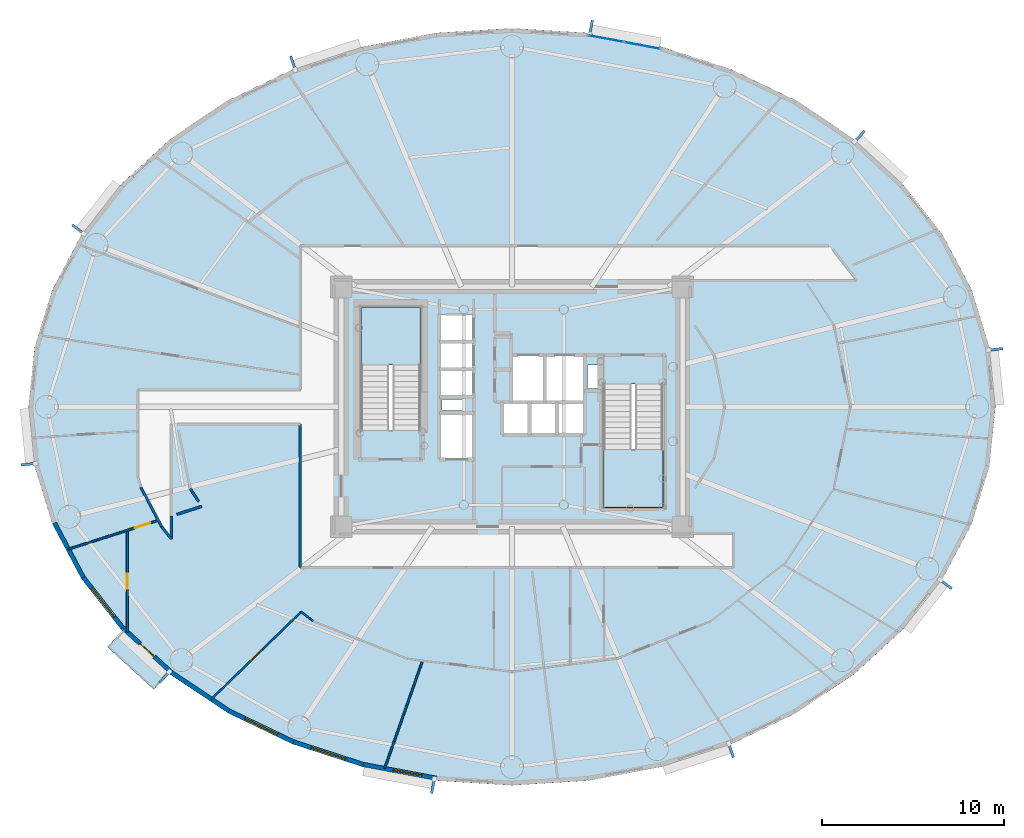
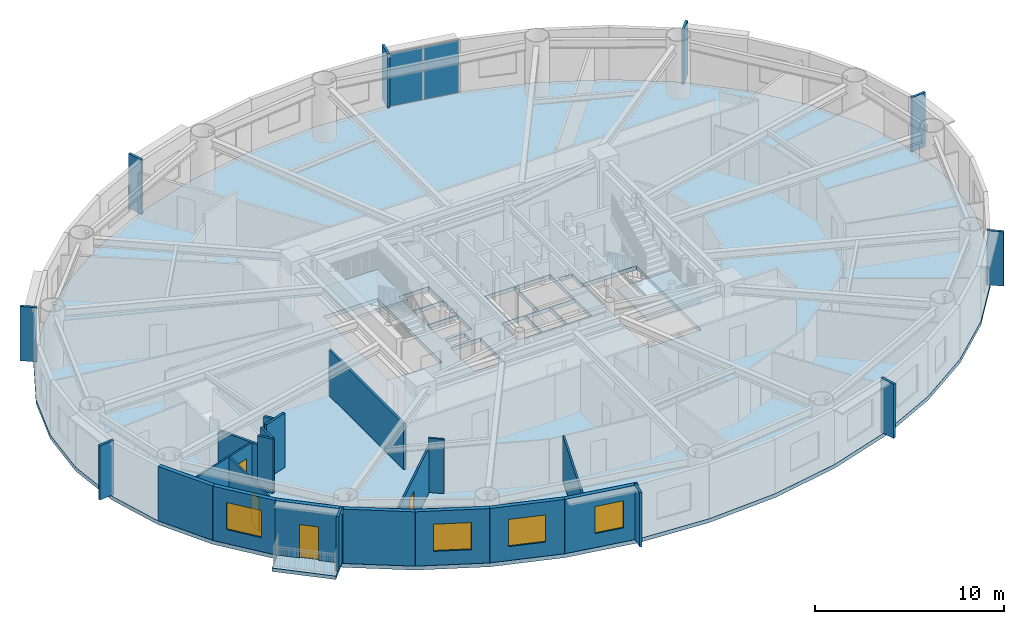
# One storey, part 7 of 18: 18 walls, 12 plates, 4 doors, 4 slabs, 4 windows, 8 openings, 3 elements without a shape of their own.
"""IFC4 building model written with IfcOpenShell, lengths in metres."""

from ifc_helpers import new_model, si_unit, direction, frame, frame_2d, origin, origin_2d, place, context, subcontext, project, spatial, polyline, rectangle, outline, extrude, source, transform, mapped, material, layer, layer_set, type_object, element, fill, aggregate, save


model = new_model("IFC4")

# Units and contexts
model_context = context("Model", 3, precision=1e-05, world=origin(), true_north=direction((0.0, 1.0)))
body_context = subcontext(model_context, "Body", "Model", "MODEL_VIEW")
ifc_project = project(units=[si_unit("LENGTHUNIT", "METRE"), si_unit("AREAUNIT", "SQUARE_METRE"), si_unit("VOLUMEUNIT", "CUBIC_METRE"), si_unit("PLANEANGLEUNIT", "RADIAN"), si_unit("MASSUNIT", "GRAM", prefix="KILO")], contexts=[model_context])

# Site, building, storey
site_placement = place(None, origin())
site = spatial("IfcSite", under=ifc_project, at=site_placement, CompositionType="ELEMENT")
building_placement = place(site_placement, origin())
building = spatial("IfcBuilding", under=site, at=building_placement, Name="Linh Dai School and Residence Tower", CompositionType="ELEMENT")
storey_placement = place(building_placement, frame((0.0, 0.0, 167.39990234375)))
storey = spatial("IfcBuildingStorey", under=building, at=storey_placement, Name="L40", CompositionType="ELEMENT", Elevation=167.39990234375)

# Slabs
ifc_material_1 = material(Name="Concrete B45 (C35/45)", Category="concrete")
ifc_layer_1 = layer(ifc_material_1, 0.219970703125)
ifc_layer_set_1 = layer_set([ifc_layer_1], Name="Concrete B45 (C35/45)")
slab_type_1 = type_object("IfcSlabType", Name="SLB-BALC-220", PredefinedType="FLOOR", material=ifc_layer_set_1)
slab_1_placement = place(storey_placement, frame((0.0, 0.0, -0.219970703125)))
element("IfcSlab", 1, at=slab_1_placement, inside=storey, type_object=slab_type_1, Name="L40 Sliding Balcony Slab 25", PredefinedType="FLOOR", context=body_context, shape_type="SweptSolid", body=[
    extrude(outline(polyline([(17.163818359375, 12.40380859375), (14.614990234375, 14.74072265625), (13.736572265625, 13.782470703125), (16.285400390625, 11.445556640625), (17.163818359375, 12.40380859375)])), origin(), (0.0, 0.0, 1.0), 0.219970703125),
])
ifc_layer_2 = layer(ifc_material_1, 0.25)
ifc_layer_set_2 = layer_set([ifc_layer_2], Name="Concrete B45 (C35/45)")
slab_type_2 = type_object("IfcSlabType", Name="SLB-FLR250", PredefinedType="FLOOR", material=ifc_layer_set_2)
slab_2_placement = place(storey_placement, frame((0.0, 0.0, -0.25)))
element("IfcSlab", 2, at=slab_2_placement, inside=storey, type_object=slab_type_2, Name="L40 Composite Structural Floor Slab", PredefinedType="FLOOR", context=body_context, shape_type="SweptSolid", body=[
    extrude(outline(polyline([(62.60009765625, 27.0), (62.2724609375, 30.258544921875), (61.298095703125, 33.436767578125), (59.70068359375, 36.45654296875), (57.519775390625, 39.24365234375), (54.80908203125, 41.72900390625), (51.635009765625, 43.851806640625), (48.076171875, 45.5595703125), (44.219970703125, 46.810546875), (40.1611328125, 47.573486328125), (36.0, 47.830078125), (31.8388671875, 47.573486328125), (27.780029296875, 46.810546875), (23.923828125, 45.5595703125), (20.364990234375, 43.851806640625), (17.19091796875, 41.72900390625), (14.480224609375, 39.24365234375), (12.29931640625, 36.45654296875), (10.701904296875, 33.436767578125), (9.7275390625, 30.258544921875), (9.39990234375, 27.0), (9.7275390625, 23.741455078125), (10.701904296875, 20.563232421875), (12.29931640625, 17.54345703125), (14.480224609375, 14.75634765625), (17.19091796875, 12.27099609375), (20.364990234375, 10.148193359375), (23.923828125, 8.4404296875), (27.780029296875, 7.189453125), (31.8388671875, 6.426513671875), (36.0, 6.169921875), (40.1611328125, 6.426513671875), (44.219970703125, 7.189453125), (48.076171875, 8.4404296875), (51.635009765625, 10.148193359375), (54.80908203125, 12.27099609375), (57.519775390625, 14.75634765625), (59.70068359375, 17.54345703125), (61.298095703125, 20.563232421875), (62.2724609375, 23.741455078125), (62.60009765625, 27.0)]), holes=[polyline([(30.97998046875, 25.699951171875), (30.97998046875, 32.5), (27.679931640625, 32.5), (27.679931640625, 25.699951171875), (30.97998046875, 25.699951171875)]), polyline([(41.02001953125, 28.25), (41.02001953125, 21.449951171875), (44.320068359375, 21.449951171875), (44.320068359375, 28.25), (41.02001953125, 28.25)]), polyline([(35.97998046875, 27.280029296875), (37.77001953125, 27.280029296875), (37.77001953125, 29.820068359375), (35.97998046875, 29.820068359375), (35.97998046875, 27.280029296875)]), polyline([(32.030029296875, 24.1298828125), (33.8701171875, 24.1298828125), (33.8701171875, 26.6201171875), (32.030029296875, 26.6201171875), (32.030029296875, 24.1298828125)]), polyline([(37.830078125, 27.280029296875), (39.969970703125, 27.280029296875), (39.969970703125, 29.820068359375), (37.830078125, 29.820068359375), (37.830078125, 27.280029296875)]), polyline([(32.030029296875, 27.580078125), (33.8701171875, 27.580078125), (33.8701171875, 29.030029296875), (32.030029296875, 29.030029296875), (32.030029296875, 27.580078125)]), polyline([(32.030029296875, 29.090087890625), (33.8701171875, 29.090087890625), (33.8701171875, 30.550048828125), (32.030029296875, 30.550048828125), (32.030029296875, 29.090087890625)]), polyline([(32.030029296875, 30.610107421875), (33.8701171875, 30.610107421875), (33.8701171875, 32.070068359375), (32.030029296875, 32.070068359375), (32.030029296875, 30.610107421875)]), polyline([(35.47998046875, 25.47998046875), (36.929931640625, 25.47998046875), (36.929931640625, 27.219970703125), (35.47998046875, 27.219970703125), (35.47998046875, 25.47998046875)]), polyline([(36.989990234375, 25.47998046875), (38.449951171875, 25.47998046875), (38.449951171875, 27.219970703125), (36.989990234375, 27.219970703125), (36.989990234375, 25.47998046875)]), polyline([(38.510009765625, 25.47998046875), (39.969970703125, 25.47998046875), (39.969970703125, 27.219970703125), (38.510009765625, 27.219970703125), (38.510009765625, 25.47998046875)]), polyline([(40.14990234375, 28.0), (40.14990234375, 29.300048828125), (41.0, 29.300048828125), (41.0, 28.280029296875), (40.989990234375, 28.280029296875), (40.989990234375, 28.0), (40.14990234375, 28.0)]), polyline([(32.14990234375, 26.800048828125), (33.35009765625, 26.800048828125), (33.35009765625, 27.39990234375), (32.14990234375, 27.39990234375), (32.14990234375, 26.800048828125)])]), origin(), (0.0, 0.0, 1.0), 0.25),
])

# Stair, slab
stair_type = type_object("IfcStairType", Name="ST-DOG-1550-R1442", PredefinedType="HALF_TURN_STAIR", material=ifc_material_1)
stair_1_placement = place(storey_placement, origin())
stair_1 = element("IfcStair", 3, at=stair_1_placement, inside=storey, type_object=stair_type, Name="L40 Core Smokeproof Exit Stair ST1", PredefinedType="HALF_TURN_STAIR")
ifc_layer_3 = layer(ifc_material_1, 0.199951171875)
ifc_layer_set_3 = layer_set([ifc_layer_3], Name="Concrete B45 (C35/45)")
slab_type_3 = type_object("IfcSlabType", Name="SLB-ST-LANDING-200", PredefinedType="LANDING", material=ifc_layer_set_3)
slab_3_placement = place(storey_placement, frame((0.0, 0.0, 1.675048828125)))
slab_3 = element("IfcSlab", 4, at=slab_3_placement, type_object=slab_type_3, Name="ST1 landing 1", PredefinedType="LANDING", context=body_context, shape_type="SweptSolid", body=[
    extrude(outline(polyline([(30.97998046875, 29.300048828125), (30.97998046875, 32.5), (27.679931640625, 32.5), (27.679931640625, 29.300048828125), (30.97998046875, 29.300048828125)])), origin(), (0.0, 0.0, 1.0), 0.199951171875),
])
aggregate(stair_1, [slab_3])

stair_2_placement = place(storey_placement, origin())
stair_2 = element("IfcStair", 5, at=stair_2_placement, inside=storey, type_object=stair_type, Name="L40 Core Smokeproof Exit Stair ST2", PredefinedType="HALF_TURN_STAIR")
slab_4_placement = place(storey_placement, frame((0.0, 0.0, 1.675048828125)))
slab_4 = element("IfcSlab", 6, at=slab_4_placement, type_object=slab_type_3, Name="ST2 landing 1", PredefinedType="LANDING", context=body_context, shape_type="SweptSolid", body=[
    extrude(outline(polyline([(41.02001953125, 24.64990234375), (41.02001953125, 21.449951171875), (44.320068359375, 21.449951171875), (44.320068359375, 24.64990234375), (41.02001953125, 24.64990234375)])), origin(), (0.0, 0.0, 1.0), 0.199951171875),
])
aggregate(stair_2, [slab_4])

# Plates
ifc_material_2 = material(Name="Precast Concrete B45 (C35/45)", Category="concrete")
ifc_layer_4 = layer(ifc_material_2, 0.139892578125)
ifc_layer_set_4 = layer_set([ifc_layer_4], Name="Precast Concrete B45 (C35/45)")
plate_type_1 = type_object("IfcPlateType", Name="FIN-TC-900x140", PredefinedType="USERDEFINED", material=ifc_layer_set_4)
shared_shape_1 = source(origin(), body_context, "Body", "SweptSolid", [
    extrude(rectangle(XDim=0.89990234375, YDim=0.139892578125, at=origin_2d()), origin(), (0.0, 0.0, 1.0), 3.5),
])
for number, where, z_axis, x_axis, name in (
    (7, (62.56982421875, 30.1552734375, 0.0), (0.0, 0.0, 1.0), (0.994987256586, 0.100001796141, 0.0), "L40 Precast Terracotta Radial Fin 01"),
    (8, (55.097412109375, 41.851806640625, 0.0), (0.0, 0.0, 1.0), (0.67580001435, 0.737085029426, 0.0), "L40 Precast Terracotta Radial Fin 05"),
    (9, (40.33935546875, 47.830322265625, 0.0), (0.0, 0.0, 1.0), (0.184762540184, 0.982783192645, 0.0), "L40 Precast Terracotta Radial Fin 09"),
    (10, (23.957763671875, 45.87060546875, 0.0), (0.0, 0.0, 1.0), (-0.308535707031, 0.951212761419, 0.0), "L40 Precast Terracotta Radial Fin 13"),
    (11, (12.155029296875, 36.735595703125, 0.0), (0.0, 0.0, 1.0), (-0.787522158319, 0.616286337798, 0.0), "L40 Precast Terracotta Radial Fin 17"),
    (12, (9.43017578125, 23.8447265625, 0.0), (0.0, 0.0, 1.0), (-0.994987256586, -0.100001796141, 0.0), "L40 Precast Terracotta Radial Fin 21"),
    (13, (16.902587890625, 12.148193359375, 0.0), (0.0, 0.0, 1.0), (-0.67580001435, -0.737085029426, 0.0), "L40 Precast Terracotta Radial Fin 25"),
    (14, (31.66064453125, 6.169677734375, 0.0), (0.0, 0.0, 1.0), (-0.184762540184, -0.982783192645, 0.0), "L40 Precast Terracotta Radial Fin 29"),
    (15, (48.042236328125, 8.12939453125, 0.0), (0.0, 0.0, 1.0), (0.308535707031, -0.951212761419, 0.0), "L40 Precast Terracotta Radial Fin 33"),
    (16, (59.844970703125, 17.264404296875, 0.0), (0.0, 0.0, 1.0), (0.787522158319, -0.616286337798, 0.0), "L40 Precast Terracotta Radial Fin 37"),
):
    element("IfcPlate", number, at=place(storey_placement, frame(where, z_axis=z_axis, x_axis=x_axis)), inside=storey, type_object=plate_type_1, Name=name, ObjectType="RADIAL FIN", PredefinedType="USERDEFINED", context=body_context, shape_type="MappedRepresentation", body=[
        mapped(shared_shape_1, transform((0.0, 0.0, 0.0), x_axis=(1.0, 0.0, 0.0), y_axis=(0.0, 1.0, 0.0), z_axis=(0.0, 0.0, 1.0), scale=1.0)),
    ])

# Curtain wall, plates
ifc_material_3 = material(Name="Aluminium Anodised Curtain Wall", Category="aluminium")
ifc_layer_5 = layer(ifc_material_3, 0.14990234375)
ifc_layer_set_5 = layer_set([ifc_layer_5], Name="Aluminium Anodised Curtain Wall")
curtain_wall_type = type_object("IfcCurtainWallType", Name="CW-SYS-4", PredefinedType="USERDEFINED", material=ifc_layer_set_5)
curtain_wall_placement = place(storey_placement, origin())
curtain_wall = element("IfcCurtainWall", 17, at=curtain_wall_placement, inside=storey, type_object=curtain_wall_type, Name="L40 CW4 Curtain Wall 09", ObjectType="RIBBON CURTAIN WALL", PredefinedType="USERDEFINED")
ifc_material_4 = material(Name="Double Low-E Insulated Glazing", Category="glass")
ifc_layer_6 = layer(ifc_material_4, 0.02587890625)
ifc_layer_set_6 = layer_set([ifc_layer_6], Name="Double Low-E Insulated Glazing")
plate_type_2 = type_object("IfcPlateType", Name="CW-SYS-4-PAN", PredefinedType="CURTAIN_PANEL", material=ifc_layer_set_6)
shared_shape_2 = source(origin(), body_context, "Body", "SweptSolid", [
    extrude(rectangle(XDim=1.97900390625, YDim=0.02587890625, at=origin_2d()), origin(), (0.0, 0.0, 1.0), 3.39599609375),
])
plate_1_placement = place(storey_placement, frame((41.16943359375, 47.257080078125, 0.052001953125), z_axis=(0.0, 0.0, 1.0), x_axis=(0.982783192645, -0.184762540184, 0.0)))
plate_1 = element("IfcPlate", 18, at=plate_1_placement, type_object=plate_type_2, Name="CW4 panel 1.1", PredefinedType="CURTAIN_PANEL", context=body_context, shape_type="MappedRepresentation", body=[
    mapped(shared_shape_2, transform((0.0, 0.0, 0.0), x_axis=(1.0, 0.0, 0.0), y_axis=(0.0, 1.0, 0.0), z_axis=(0.0, 0.0, 1.0), scale=1.0)),
])
plate_2_placement = place(storey_placement, frame((43.16552734375, 46.8818359375, 0.052001953125), z_axis=(0.0, 0.0, 1.0), x_axis=(0.982783192645, -0.184762540184, 0.0)))
plate_2 = element("IfcPlate", 19, at=plate_2_placement, type_object=plate_type_2, Name="CW4 panel 2.1", PredefinedType="CURTAIN_PANEL", context=body_context, shape_type="MappedRepresentation", body=[
    mapped(shared_shape_2, transform((0.0, 0.0, 0.0), x_axis=(1.0, 0.0, 0.0), y_axis=(0.0, 1.0, 0.0), z_axis=(0.0, 0.0, 1.0), scale=1.0)),
])
aggregate(curtain_wall, [plate_1, plate_2])

# Wall
ifc_layer_7 = layer(ifc_material_2, 0.239990234375)
ifc_layer_set_7 = layer_set([ifc_layer_7], Name="Precast Concrete B45 (C35/45)")
wall_type_1 = type_object("IfcWallType", Name="EW-TC-240", PredefinedType="SOLIDWALL", material=ifc_layer_set_7)
wall_1_placement = place(storey_placement, frame((12.404052734375, 17.611572265625, 0.0), z_axis=(0.0, 0.0, 1.0), x_axis=(-0.467586874938, 0.88394712194, 0.0)))
element("IfcWall", 20, at=wall_1_placement, inside=storey, type_object=wall_type_1, Name="L40 Terracotta Exterior Wall 23", PredefinedType="SOLIDWALL", context=body_context, shape_type="SweptSolid", body=[
    extrude(rectangle(XDim=3.393310546875, YDim=0.239990234375, at=frame_2d((1.69677734375, 0.0))), origin(), (0.0, 0.0, 1.0), 3.5),
])

# Wall, opening, window
wall_2_placement = place(storey_placement, frame((14.57177734375, 14.841552734375, 0.0), z_axis=(0.0, 0.0, 1.0), x_axis=(-0.616287674549, 0.787521112224, 0.0)))
wall_2 = element("IfcWall", 21, at=wall_2_placement, inside=storey, type_object=wall_type_1, Name="L40 Terracotta Exterior Wall 24", PredefinedType="SOLIDWALL", context=body_context, shape_type="SweptSolid", body=[
    extrude(rectangle(XDim=3.517333984375, YDim=0.239990234375, at=frame_2d((1.7587890625, 0.0))), origin(), (0.0, 0.0, 1.0), 3.5),
])
opening_1_placement = place(wall_2_placement, frame((0.758544921875, 0.0, 0.89990234375)))
opening_1 = element("IfcOpeningElement", 22, at=opening_1_placement, cuts=wall_2, Name="Opening W1", PredefinedType="OPENING", context=body_context, shape_type="SweptSolid", body=[
    extrude(rectangle(XDim=2.0, YDim=1.75, at=origin_2d()), frame((1.0, 0.1298828125, 0.875), z_axis=(0.0, -1.0, 0.0), x_axis=(1.0, 0.0, 0.0)), (0.0, 0.0, 1.0), 0.260009765625),
])
window_type_1 = type_object("IfcWindowType", Name="WN-RES-2000x1750", PartitioningType="DOUBLE_PANEL_VERTICAL", PredefinedType="WINDOW", material=ifc_material_4)
shared_shape_3 = source(origin(), body_context, "Body", "SweptSolid", [
    extrude(rectangle(XDim=2.0, YDim=1.75, at=origin_2d()), frame((1.0, 0.030029296875, 0.875), z_axis=(0.0, -1.0, 0.0), x_axis=(1.0, 0.0, 0.0)), (0.0, 0.0, 1.0), 0.06005859375),
])
window_1_placement = place(opening_1_placement, origin())
window_1 = element("IfcWindow", 23, at=window_1_placement, inside=storey, type_object=window_type_1, Name="L40 Exterior Window 24.1", OverallHeight=1.75, OverallWidth=2.0, PartitioningType="DOUBLE_PANEL_VERTICAL", PredefinedType="WINDOW", context=body_context, shape_type="MappedRepresentation", body=[
    mapped(shared_shape_3, transform((0.0, 0.0, 0.0), x_axis=(1.0, 0.0, 0.0), y_axis=(0.0, 1.0, 0.0), z_axis=(0.0, 0.0, 1.0), scale=1.0)),
])
fill(opening_1, window_1)

# Wall, opening, door
wall_3_placement = place(storey_placement, frame((17.26806640625, 12.369384765625, 0.0), z_axis=(0.0, 0.0, 1.0), x_axis=(-0.737076565834, 0.675809245349, 0.0)))
wall_3 = element("IfcWall", 24, at=wall_3_placement, inside=storey, type_object=wall_type_1, Name="L40 Terracotta Exterior Wall 25", PredefinedType="SOLIDWALL", context=body_context, shape_type="SweptSolid", body=[
    extrude(rectangle(XDim=3.658203125, YDim=0.239990234375, at=frame_2d((1.8291015625, 0.0))), origin(), (0.0, 0.0, 1.0), 3.5),
])
opening_2_placement = place(wall_3_placement, frame((1.303955078125, 0.0, 0.0)))
opening_2 = element("IfcOpeningElement", 25, at=opening_2_placement, cuts=wall_3, Name="Opening BD1", PredefinedType="OPENING", context=body_context, shape_type="SweptSolid", body=[
    extrude(rectangle(XDim=1.050048828125, YDim=2.14990234375, at=origin_2d()), frame((0.52490234375, 0.1298828125, 1.074951171875), z_axis=(0.0, -1.0, 0.0), x_axis=(1.0, 0.0, 0.0)), (0.0, 0.0, 1.0), 0.260009765625),
])
ifc_material_5 = material(Name="Double-Glazed Balcony Door", Category="glass")
door_type_1 = type_object("IfcDoorType", Name="DR-BALC-1050x2150", OperationType="NOTDEFINED", PredefinedType="DOOR", material=ifc_material_5)
shared_shape_4 = source(origin(), body_context, "Body", "SweptSolid", [
    extrude(rectangle(XDim=1.050048828125, YDim=2.14990234375, at=origin_2d()), frame((0.52490234375, 0.02490234375, 1.074951171875), z_axis=(0.0, -1.0, 0.0), x_axis=(1.0, 0.0, 0.0)), (0.0, 0.0, 1.0), 0.050048828125),
])
door_1_placement = place(opening_2_placement, origin())
door_1 = element("IfcDoor", 26, at=door_1_placement, inside=storey, type_object=door_type_1, Name="L40 Glazed Balcony Door 25", OperationType="SINGLE_SWING_LEFT", OverallHeight=2.14990234375, OverallWidth=1.050048828125, PredefinedType="DOOR", context=body_context, shape_type="MappedRepresentation", body=[
    mapped(shared_shape_4, transform((0.0, 0.0, 0.0), x_axis=(1.0, 0.0, 0.0), y_axis=(0.0, 1.0, 0.0), z_axis=(0.0, 0.0, 1.0), scale=1.0)),
])
fill(opening_2, door_1)

# Wall
wall_4_placement = place(storey_placement, frame((20.4267578125, 10.2568359375, 0.0), z_axis=(0.0, 0.0, 1.0), x_axis=(-0.831228998277, 0.555930168657, 0.0)))
element("IfcWall", 27, at=wall_4_placement, inside=storey, type_object=wall_type_1, Name="L40 Terracotta Exterior Wall 26", PredefinedType="SOLIDWALL", context=body_context, shape_type="SweptSolid", body=[
    extrude(rectangle(XDim=3.800048828125, YDim=0.239990234375, at=frame_2d((1.89990234375, 0.0))), origin(), (0.0, 0.0, 1.0), 3.5),
])

# Wall, opening, window
wall_5_placement = place(storey_placement, frame((23.97021484375, 8.556396484375, 0.0), z_axis=(0.0, 0.0, 1.0), x_axis=(-0.901564733809, 0.432644231155, 0.0)))
wall_5 = element("IfcWall", 28, at=wall_5_placement, inside=storey, type_object=wall_type_1, Name="L40 Terracotta Exterior Wall 27", PredefinedType="SOLIDWALL", context=body_context, shape_type="SweptSolid", body=[
    extrude(rectangle(XDim=3.930419921875, YDim=0.239990234375, at=frame_2d((1.96533203125, 0.0))), origin(), (0.0, 0.0, 1.0), 3.5),
])
opening_3_placement = place(wall_5_placement, frame((0.965087890625, 0.0, 0.89990234375)))
opening_3 = element("IfcOpeningElement", 29, at=opening_3_placement, cuts=wall_5, Name="Opening W1", PredefinedType="OPENING", context=body_context, shape_type="SweptSolid", body=[
    extrude(rectangle(XDim=2.0, YDim=1.75, at=origin_2d()), frame((1.0, 0.1298828125, 0.875), z_axis=(0.0, -1.0, 0.0), x_axis=(1.0, 0.0, 0.0)), (0.0, 0.0, 1.0), 0.260009765625),
])
window_2_placement = place(opening_3_placement, origin())
window_2 = element("IfcWindow", 30, at=window_2_placement, inside=storey, type_object=window_type_1, Name="L40 Exterior Window 27.1", OverallHeight=1.75, OverallWidth=2.0, PartitioningType="DOUBLE_PANEL_VERTICAL", PredefinedType="WINDOW", context=body_context, shape_type="MappedRepresentation", body=[
    mapped(shared_shape_3, transform((0.0, 0.0, 0.0), x_axis=(1.0, 0.0, 0.0), y_axis=(0.0, 1.0, 0.0), z_axis=(0.0, 0.0, 1.0), scale=1.0)),
])
fill(opening_3, window_2)

wall_6_placement = place(storey_placement, frame((27.81103515625, 7.310546875, 0.0), z_axis=(0.0, 0.0, 1.0), x_axis=(-0.951209870236, 0.30854462038, 0.0)))
wall_6 = element("IfcWall", 31, at=wall_6_placement, inside=storey, type_object=wall_type_1, Name="L40 Terracotta Exterior Wall 28", PredefinedType="SOLIDWALL", context=body_context, shape_type="SweptSolid", body=[
    extrude(rectangle(XDim=4.037841796875, YDim=0.239990234375, at=frame_2d((2.01904296875, 0.0))), origin(), (0.0, 0.0, 1.0), 3.5),
])
opening_4_placement = place(wall_6_placement, frame((1.018798828125, 0.0, 0.89990234375)))
opening_4 = element("IfcOpeningElement", 32, at=opening_4_placement, cuts=wall_6, Name="Opening W1", PredefinedType="OPENING", context=body_context, shape_type="SweptSolid", body=[
    extrude(rectangle(XDim=2.0, YDim=1.75, at=origin_2d()), frame((1.0, 0.1298828125, 0.875), z_axis=(0.0, -1.0, 0.0), x_axis=(1.0, 0.0, 0.0)), (0.0, 0.0, 1.0), 0.260009765625),
])
window_3_placement = place(opening_4_placement, origin())
window_3 = element("IfcWindow", 33, at=window_3_placement, inside=storey, type_object=window_type_1, Name="L40 Exterior Window 28.1", OverallHeight=1.75, OverallWidth=2.0, PartitioningType="DOUBLE_PANEL_VERTICAL", PredefinedType="WINDOW", context=body_context, shape_type="MappedRepresentation", body=[
    mapped(shared_shape_3, transform((0.0, 0.0, 0.0), x_axis=(1.0, 0.0, 0.0), y_axis=(0.0, 1.0, 0.0), z_axis=(0.0, 0.0, 1.0), scale=1.0)),
])
fill(opening_4, window_3)

wall_7_placement = place(storey_placement, frame((31.854248046875, 6.550537109375, 0.0), z_axis=(0.0, 0.0, 1.0), x_axis=(-0.982788108205, 0.184736391573, 0.0)))
wall_7 = element("IfcWall", 34, at=wall_7_placement, inside=storey, type_object=wall_type_1, Name="L40 Terracotta Exterior Wall 29", PredefinedType="SOLIDWALL", context=body_context, shape_type="SweptSolid", body=[
    extrude(rectangle(XDim=4.114013671875, YDim=0.239990234375, at=frame_2d((2.05712890625, 0.0))), origin(), (0.0, 0.0, 1.0), 3.5),
])
opening_5_placement = place(wall_7_placement, frame((0.84228515625, 0.0, 0.89990234375)))
opening_5 = element("IfcOpeningElement", 35, at=opening_5_placement, cuts=wall_7, Name="Opening W2", PredefinedType="OPENING", context=body_context, shape_type="SweptSolid", body=[
    extrude(rectangle(XDim=1.60009765625, YDim=1.75, at=origin_2d()), frame((0.800048828125, 0.1298828125, 0.875), z_axis=(0.0, -1.0, 0.0), x_axis=(1.0, 0.0, 0.0)), (0.0, 0.0, 1.0), 0.260009765625),
])
window_type_2 = type_object("IfcWindowType", Name="WN-RES-1600x1750", PartitioningType="DOUBLE_PANEL_VERTICAL", PredefinedType="WINDOW", material=ifc_material_4)
shared_shape_5 = source(origin(), body_context, "Body", "SweptSolid", [
    extrude(rectangle(XDim=1.60009765625, YDim=1.75, at=origin_2d()), frame((0.800048828125, 0.030029296875, 0.875), z_axis=(0.0, -1.0, 0.0), x_axis=(1.0, 0.0, 0.0)), (0.0, 0.0, 1.0), 0.06005859375),
])
window_4_placement = place(opening_5_placement, origin())
window_4 = element("IfcWindow", 36, at=window_4_placement, inside=storey, type_object=window_type_2, Name="L40 Exterior Window 29.1", OverallHeight=1.75, OverallWidth=1.60009765625, PartitioningType="DOUBLE_PANEL_VERTICAL", PredefinedType="WINDOW", context=body_context, shape_type="MappedRepresentation", body=[
    mapped(shared_shape_5, transform((0.0, 0.0, 0.0), x_axis=(1.0, 0.0, 0.0), y_axis=(0.0, 1.0, 0.0), z_axis=(0.0, 0.0, 1.0), scale=1.0)),
])
fill(opening_5, window_4)

# Walls
ifc_material_6 = material(Name="Autoclaved Aerated Concrete Blockwork", Category="masonry")
ifc_layer_8 = layer(ifc_material_6, 0.135009765625)
ifc_layer_set_8 = layer_set([ifc_layer_8], Name="Autoclaved Aerated Concrete Blockwork")
wall_type_2 = type_object("IfcWallType", Name="IW-CORR-135-EI90", PredefinedType="PARTITIONING", material=ifc_layer_set_8)
wall_8_placement = place(storey_placement, frame((15.57421875, 22.577880859375, 0.0), z_axis=(0.0, 0.0, 1.0), x_axis=(0.467608615334, -0.883935621448, 0.0)))
element("IfcWall", 37, at=wall_8_placement, inside=storey, type_object=wall_type_2, Name="L40 Interior Partition Wall 009", PredefinedType="PARTITIONING", context=body_context, shape_type="SweptSolid", body=[
    extrude(rectangle(XDim=2.451904296875, YDim=0.135009765625, at=frame_2d((1.22607421875, 0.0))), origin(), (0.0, 0.0, 1.0), 2.93505859375),
])
wall_9_placement = place(storey_placement, frame((16.720458984375, 20.410888671875, 0.0), z_axis=(0.0, 0.0, 1.0), x_axis=(0.616377221056, -0.787451027914, 0.0)))
element("IfcWall", 38, at=wall_9_placement, inside=storey, type_object=wall_type_2, Name="L40 Interior Partition Wall 011", PredefinedType="PARTITIONING", context=body_context, shape_type="SweptSolid", body=[
    extrude(rectangle(XDim=0.859130859375, YDim=0.135009765625, at=frame_2d((0.4296875, 0.0))), origin(), (0.0, 0.0, 1.0), 3.5),
])
wall_10_placement = place(storey_placement, frame((17.25, 19.734375, 0.0), z_axis=(0.0, 0.0, 1.0), x_axis=(0.0, 1.0, 0.0)))
element("IfcWall", 39, at=wall_10_placement, inside=storey, type_object=wall_type_2, Name="L40 Interior Partition Wall 012", PredefinedType="PARTITIONING", context=body_context, shape_type="SweptSolid", body=[
    extrude(rectangle(XDim=1.24560546875, YDim=0.135009765625, at=frame_2d((0.622802734375, 0.0))), origin(), (0.0, 0.0, 1.0), 3.5),
])
wall_11_placement = place(storey_placement, frame((24.35009765625, 18.14990234375, 0.0), z_axis=(0.0, 0.0, 1.0), x_axis=(0.0, 1.0, 0.0)))
element("IfcWall", 40, at=wall_11_placement, inside=storey, type_object=wall_type_2, Name="L40 Interior Partition Wall 017", PredefinedType="PARTITIONING", context=body_context, shape_type="SweptSolid", body=[
    extrude(rectangle(XDim=7.900146484375, YDim=0.135009765625, at=frame_2d((3.9501953125, 0.0))), origin(), (0.0, 0.0, 1.0), 2.93505859375),
])
wall_12_placement = place(storey_placement, frame((17.5576171875, 21.078857421875, 0.0), z_axis=(0.0, 0.0, 1.0), x_axis=(0.952123939642, 0.305712288861, 0.0)))
element("IfcWall", 41, at=wall_12_placement, inside=storey, type_object=wall_type_2, Name="L40 Interior Partition Wall 097", PredefinedType="PARTITIONING", context=body_context, shape_type="SweptSolid", body=[
    extrude(rectangle(XDim=1.4375, YDim=0.135009765625, at=frame_2d((0.71875, 0.0))), origin(), (0.0, 0.0, 1.0), 3.5),
])
wall_13_placement = place(storey_placement, frame((18.75244140625, 21.785400390625, 0.0), z_axis=(0.0, 0.0, 1.0), x_axis=(-0.545404374412, 0.838173053953, 0.0)))
element("IfcWall", 42, at=wall_13_placement, inside=storey, type_object=wall_type_2, Name="L40 Interior Partition Wall 098", PredefinedType="PARTITIONING", context=body_context, shape_type="SweptSolid", body=[
    extrude(rectangle(XDim=0.845458984375, YDim=0.135009765625, at=frame_2d((0.4228515625, 0.0))), origin(), (0.0, 0.0, 1.0), 2.93505859375),
])

# Wall, opening, door
ifc_material_7 = material(Name="Gypsum Plasterboard Acoustic Stud Partition", Category="masonry")
ifc_layer_9 = layer(ifc_material_7, 0.10009765625)
ifc_layer_set_9 = layer_set([ifc_layer_9], Name="Gypsum Plasterboard Acoustic Stud Partition")
wall_type_3 = type_object("IfcWallType", Name="IW-UNIT-100", PredefinedType="PARTITIONING", material=ifc_layer_set_9)
wall_14_placement = place(storey_placement, frame((11.57958984375, 19.159423828125, 0.0), z_axis=(0.0, 0.0, 1.0), x_axis=(0.952134795804, 0.305678475885, 0.0)))
wall_14 = element("IfcWall", 43, at=wall_14_placement, inside=storey, type_object=wall_type_3, Name="L40 Interior Partition Wall 003", PredefinedType="PARTITIONING", context=body_context, shape_type="SweptSolid", body=[
    extrude(rectangle(XDim=5.209716796875, YDim=0.10009765625, at=frame_2d((2.60498046875, 0.0))), origin(), (0.0, 0.0, 1.0), 2.93505859375),
])
opening_6_placement = place(wall_14_placement, frame((3.8427734375, 0.0, 0.0)))
opening_6 = element("IfcOpeningElement", 44, at=opening_6_placement, cuts=wall_14, Name="Opening D05", PredefinedType="OPENING", context=body_context, shape_type="SweptSolid", body=[
    extrude(rectangle(XDim=0.89990234375, YDim=2.10009765625, at=origin_2d()), frame((0.449951171875, 0.06005859375, 1.050048828125), z_axis=(0.0, -1.0, 0.0), x_axis=(1.0, 0.0, 0.0)), (0.0, 0.0, 1.0), 0.1201171875),
])
ifc_material_8 = material(Name="Engineered Timber Internal Door", Category="wood")
door_type_2 = type_object("IfcDoorType", Name="DR-INT-900x2100", OperationType="NOTDEFINED", PredefinedType="DOOR", material=ifc_material_8)
shared_shape_6 = source(origin(), body_context, "Body", "SweptSolid", [
    extrude(rectangle(XDim=0.89990234375, YDim=2.10009765625, at=origin_2d()), frame((0.449951171875, 0.02490234375, 1.050048828125), z_axis=(0.0, -1.0, 0.0), x_axis=(1.0, 0.0, 0.0)), (0.0, 0.0, 1.0), 0.050048828125),
])
door_2_placement = place(opening_6_placement, origin())
door_2 = element("IfcDoor", 45, at=door_2_placement, inside=storey, type_object=door_type_2, Name="L40 Apartment U4001 Study Door", OperationType="SINGLE_SWING_LEFT", OverallHeight=2.10009765625, OverallWidth=0.89990234375, PredefinedType="DOOR", context=body_context, shape_type="MappedRepresentation", body=[
    mapped(shared_shape_6, transform((0.0, 0.0, 0.0), x_axis=(1.0, 0.0, 0.0), y_axis=(0.0, 1.0, 0.0), z_axis=(0.0, 0.0, 1.0), scale=1.0)),
])
fill(opening_6, door_2)

wall_15_placement = place(storey_placement, frame((14.831787109375, 14.59619140625, 0.0), z_axis=(0.0, 0.0, 1.0), x_axis=(0.0, 1.0, 0.0)))
wall_15 = element("IfcWall", 46, at=wall_15_placement, inside=storey, type_object=wall_type_3, Name="L40 Interior Partition Wall 005", PredefinedType="PARTITIONING", context=body_context, shape_type="SweptSolid", body=[
    extrude(rectangle(XDim=5.607421875, YDim=0.10009765625, at=frame_2d((2.8037109375, 0.0))), origin(), (0.0, 0.0, 1.0), 2.93505859375),
])
opening_7_placement = place(wall_15_placement, frame((2.393798828125, 0.0, 0.0)))
opening_7 = element("IfcOpeningElement", 47, at=opening_7_placement, cuts=wall_15, Name="Opening D06", PredefinedType="OPENING", context=body_context, shape_type="SweptSolid", body=[
    extrude(rectangle(XDim=0.820068359375, YDim=2.10009765625, at=origin_2d()), frame((0.41015625, 0.06005859375, 1.050048828125), z_axis=(0.0, -1.0, 0.0), x_axis=(1.0, 0.0, 0.0)), (0.0, 0.0, 1.0), 0.1201171875),
])
ifc_material_9 = material(Name="Moisture-Resistant Timber Bathroom Door", Category="wood")
door_type_3 = type_object("IfcDoorType", Name="DR-WET-820x2100", OperationType="NOTDEFINED", PredefinedType="DOOR", material=ifc_material_9)
shared_shape_7 = source(origin(), body_context, "Body", "SweptSolid", [
    extrude(rectangle(XDim=0.820068359375, YDim=2.10009765625, at=origin_2d()), frame((0.41015625, 0.02490234375, 1.050048828125), z_axis=(0.0, -1.0, 0.0), x_axis=(1.0, 0.0, 0.0)), (0.0, 0.0, 1.0), 0.050048828125),
])
door_3_placement = place(opening_7_placement, origin())
door_3 = element("IfcDoor", 48, at=door_3_placement, inside=storey, type_object=door_type_3, Name="L40 Apartment U4001 Bathroom 1 Door", OperationType="SINGLE_SWING_RIGHT", OverallHeight=2.10009765625, OverallWidth=0.820068359375, PredefinedType="DOOR", context=body_context, shape_type="MappedRepresentation", body=[
    mapped(shared_shape_7, transform((0.0, 0.0, 0.0), x_axis=(1.0, 0.0, 0.0), y_axis=(0.0, 1.0, 0.0), z_axis=(0.0, 0.0, 1.0), scale=1.0)),
])
fill(opening_7, door_3)

wall_16_placement = place(storey_placement, frame((19.448974609375, 10.90478515625, 0.0), z_axis=(0.0, 0.0, 1.0), x_axis=(0.716921274016, 0.697154134222, 0.0)))
wall_16 = element("IfcWall", 49, at=wall_16_placement, inside=storey, type_object=wall_type_3, Name="L40 Interior Partition Wall 014", PredefinedType="PARTITIONING", context=body_context, shape_type="SweptSolid", body=[
    extrude(rectangle(XDim=6.904052734375, YDim=0.10009765625, at=frame_2d((3.4521484375, 0.0))), origin(), (0.0, 0.0, 1.0), 2.93505859375),
])
opening_8_placement = place(wall_16_placement, frame((3.002197265625, 0.0, 0.0)))
opening_8 = element("IfcOpeningElement", 50, at=opening_8_placement, cuts=wall_16, Name="Opening D05", PredefinedType="OPENING", context=body_context, shape_type="SweptSolid", body=[
    extrude(rectangle(XDim=0.89990234375, YDim=2.10009765625, at=origin_2d()), frame((0.449951171875, 0.06005859375, 1.050048828125), z_axis=(0.0, -1.0, 0.0), x_axis=(1.0, 0.0, 0.0)), (0.0, 0.0, 1.0), 0.1201171875),
])
door_4_placement = place(opening_8_placement, origin())
door_4 = element("IfcDoor", 51, at=door_4_placement, inside=storey, type_object=door_type_2, Name="L40 Apartment U4001 Principal Bedroom 3 Door", OperationType="SINGLE_SWING_RIGHT", OverallHeight=2.10009765625, OverallWidth=0.89990234375, PredefinedType="DOOR", context=body_context, shape_type="MappedRepresentation", body=[
    mapped(shared_shape_6, transform((0.0, 0.0, 0.0), x_axis=(1.0, 0.0, 0.0), y_axis=(0.0, 1.0, 0.0), z_axis=(0.0, 0.0, 1.0), scale=1.0)),
])
fill(opening_8, door_4)

# Walls
wall_17_placement = place(storey_placement, frame((24.398681640625, 15.718017578125, 0.0), z_axis=(0.0, 0.0, 1.0), x_axis=(0.787251731647, -0.616631746684, 0.0)))
element("IfcWall", 52, at=wall_17_placement, inside=storey, type_object=wall_type_3, Name="L40 Interior Partition Wall 021", PredefinedType="PARTITIONING", context=body_context, shape_type="SweptSolid", body=[
    extrude(rectangle(XDim=0.834228515625, YDim=0.10009765625, at=frame_2d((0.4169921875, 0.0))), origin(), (0.0, 0.0, 1.0), 3.5),
])
wall_18_placement = place(storey_placement, frame((28.986572265625, 7.08447265625, 0.0), z_axis=(0.0, 0.0, 1.0), x_axis=(0.332161523942, 0.943222519882, 0.0)))
element("IfcWall", 53, at=wall_18_placement, inside=storey, type_object=wall_type_3, Name="L40 Interior Partition Wall 025", PredefinedType="PARTITIONING", context=body_context, shape_type="SweptSolid", body=[
    extrude(rectangle(XDim=6.302734375, YDim=0.10009765625, at=frame_2d((3.1513671875, 0.0))), origin(), (0.0, 0.0, 1.0), 2.93505859375),
])

save(model, "model.ifc")
